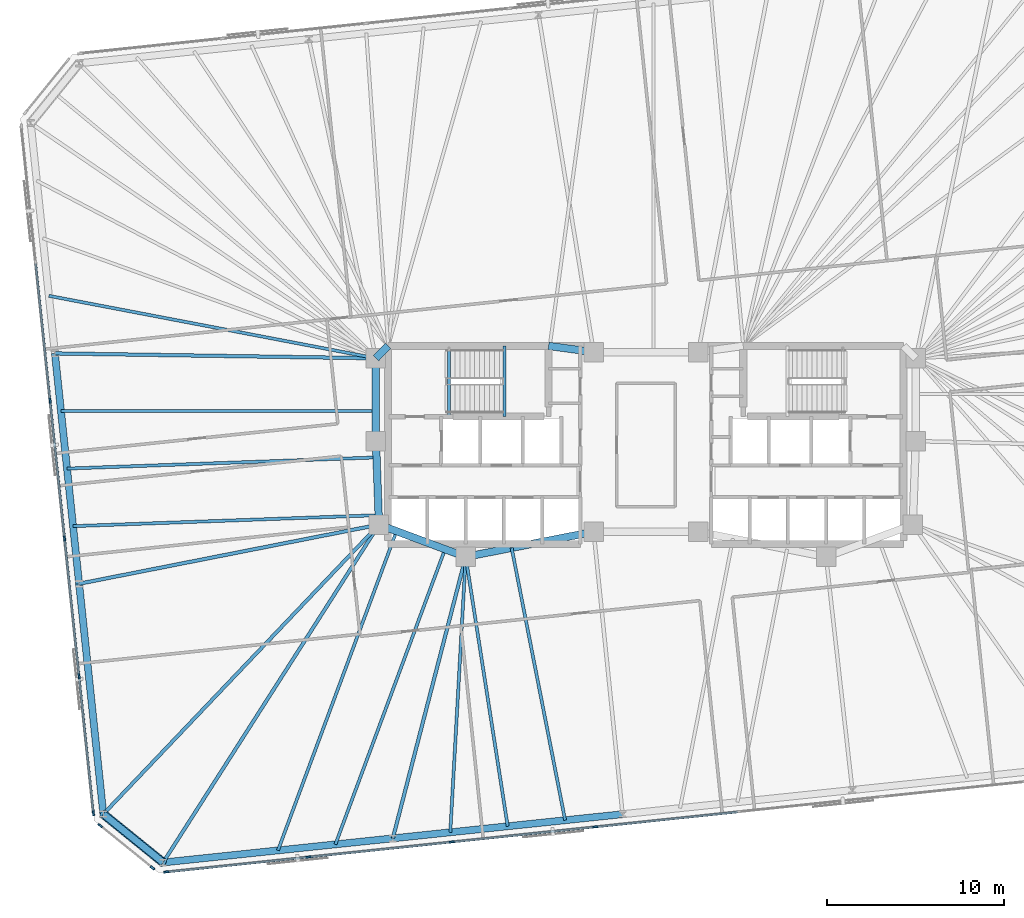
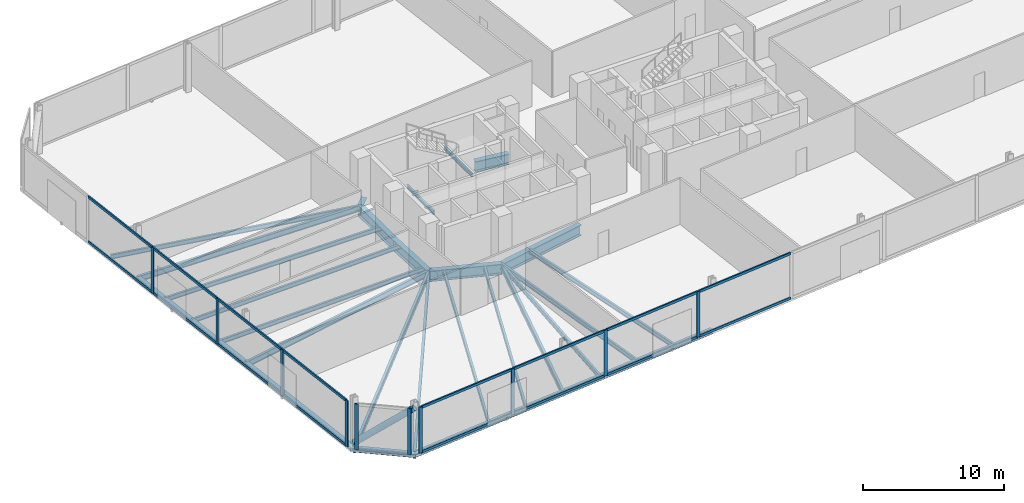
# One storey, part 6 of 16: 27 beams, 27 members, 3 elements without a shape of their own.
"""IFC4 building model written with IfcOpenShell, lengths in metres."""

from ifc_helpers import new_model, si_unit, direction, frame, origin, origin_2d, place, context, subcontext, project, spatial, rectangle, hollow_circle, i_section, extrude, material, material_profile, profile_set, type_object, element, aggregate, save


model = new_model("IFC4")

# Units and contexts
model_context = context("Model", 3, precision=1e-05, world=origin(), true_north=direction((0.0, 1.0)))
body_context = subcontext(model_context, "Body", "Model", "MODEL_VIEW")
ifc_project = project(units=[si_unit("LENGTHUNIT", "METRE"), si_unit("AREAUNIT", "SQUARE_METRE"), si_unit("VOLUMEUNIT", "CUBIC_METRE"), si_unit("PLANEANGLEUNIT", "RADIAN"), si_unit("MASSUNIT", "GRAM", prefix="KILO")], contexts=[model_context])

# Site, building, storey
site_placement = place(None, origin())
site = spatial("IfcSite", under=ifc_project, at=site_placement, CompositionType="ELEMENT")
building_placement = place(site_placement, origin())
building = spatial("IfcBuilding", under=site, at=building_placement, Name="Menara Jurai Vektor", CompositionType="ELEMENT")
storey_placement = place(building_placement, frame((0.0, 0.0, 83.199951171875)))
storey = spatial("IfcBuildingStorey", under=building, at=storey_placement, Name="L20", CompositionType="ELEMENT", Elevation=83.199951171875)

# Curtain wall, members
ifc_material_1 = material(Name="Anodised Pale Aluminium & Low-E Double Glazing", Category="aluminium")
curtain_wall_type = type_object("IfcCurtainWallType", Name="CW-SKY", PredefinedType="NOTDEFINED", material=ifc_material_1)
curtain_wall_1_placement = place(storey_placement, origin())
curtain_wall_1 = element("IfcCurtainWall", 1, at=curtain_wall_1_placement, inside=storey, type_object=curtain_wall_type, Name="Unitised Curtain Wall L20 F01", PredefinedType="NOTDEFINED")
ifc_material_2 = material(Name="Anodised Pale Aluminium Mullion", Category="aluminium")
ifc_material_profile_1 = material_profile(ifc_material_2, rectangle(XDim=0.110107421875, YDim=0.280029296875, at=origin_2d()), Name="ALU MUL 110x280")
ifc_profile_set_1 = profile_set([ifc_material_profile_1], Name="Anodised Pale Aluminium Mullion")
member_type_1 = type_object("IfcMemberType", Name="CW-SKY-MUL", PredefinedType="MULLION", material=ifc_profile_set_1)
member_1_placement = place(storey_placement, frame((-27.106689453125, -24.121337890625, 0.0), z_axis=(0.0, 0.0, 1.0), x_axis=(-0.104528634935, 0.994521877325, 0.0)))
member_1 = element("IfcMember", 2, at=member_1_placement, type_object=member_type_1, Name="CW-06 mullion 1", PredefinedType="MULLION", context=body_context, shape_type="SweptSolid", body=[
    extrude(rectangle(XDim=0.110107421875, YDim=0.280029296875, at=origin_2d()), origin(), (0.0, 0.0, 1.0), 3.97509765625),
])
member_2_placement = place(storey_placement, frame((-19.0634765625, -23.27587890625, 0.0), z_axis=(0.0, 0.0, 1.0), x_axis=(-0.104528634935, 0.994521877325, 0.0)))
member_2 = element("IfcMember", 3, at=member_2_placement, type_object=member_type_1, Name="CW-06 mullion 2", PredefinedType="MULLION", context=body_context, shape_type="SweptSolid", body=[
    extrude(rectangle(XDim=0.110107421875, YDim=0.280029296875, at=origin_2d()), origin(), (0.0, 0.0, 1.0), 3.97509765625),
])
member_3_placement = place(storey_placement, frame((-10.965576171875, -22.4248046875, 0.0), z_axis=(0.0, 0.0, 1.0), x_axis=(-0.104528634935, 0.994521877325, 0.0)))
member_3 = element("IfcMember", 4, at=member_3_placement, type_object=member_type_1, Name="CW-06 mullion 3", PredefinedType="MULLION", context=body_context, shape_type="SweptSolid", body=[
    extrude(rectangle(XDim=0.110107421875, YDim=0.280029296875, at=origin_2d()), origin(), (0.0, 0.0, 1.0), 3.97509765625),
])
member_4_placement = place(storey_placement, frame((-2.86767578125, -21.57373046875, 0.0), z_axis=(0.0, 0.0, 1.0), x_axis=(-0.104528634935, 0.994521877325, 0.0)))
member_4 = element("IfcMember", 5, at=member_4_placement, type_object=member_type_1, Name="CW-06 mullion 4", PredefinedType="MULLION", context=body_context, shape_type="SweptSolid", body=[
    extrude(rectangle(XDim=0.110107421875, YDim=0.280029296875, at=origin_2d()), origin(), (0.0, 0.0, 1.0), 3.97509765625),
])

curtain_wall_2_placement = place(storey_placement, origin())
curtain_wall_2 = element("IfcCurtainWall", 6, at=curtain_wall_2_placement, inside=storey, type_object=curtain_wall_type, Name="Unitised Curtain Wall L20 F07", PredefinedType="NOTDEFINED")
member_5_placement = place(storey_placement, frame((-33.66064453125, 2.50341796875, 0.0), z_axis=(0.0, 0.0, 1.0), x_axis=(0.99452177832, 0.104529576902, 0.0)))
member_5 = element("IfcMember", 7, at=member_5_placement, type_object=member_type_1, Name="CW-06 mullion 3", PredefinedType="MULLION", context=body_context, shape_type="SweptSolid", body=[
    extrude(rectangle(XDim=0.110107421875, YDim=0.280029296875, at=origin_2d()), origin(), (0.0, 0.0, 1.0), 3.97509765625),
])
member_6_placement = place(storey_placement, frame((-32.84228515625, -5.28173828125, 0.0), z_axis=(0.0, 0.0, 1.0), x_axis=(0.99452177832, 0.104529576902, 0.0)))
member_6 = element("IfcMember", 8, at=member_6_placement, type_object=member_type_1, Name="CW-06 mullion 4", PredefinedType="MULLION", context=body_context, shape_type="SweptSolid", body=[
    extrude(rectangle(XDim=0.110107421875, YDim=0.280029296875, at=origin_2d()), origin(), (0.0, 0.0, 1.0), 3.97509765625),
])
member_7_placement = place(storey_placement, frame((-32.024169921875, -13.06689453125, 0.0), z_axis=(0.0, 0.0, 1.0), x_axis=(0.99452177832, 0.104529576902, 0.0)))
member_7 = element("IfcMember", 9, at=member_7_placement, type_object=member_type_1, Name="CW-06 mullion 5", PredefinedType="MULLION", context=body_context, shape_type="SweptSolid", body=[
    extrude(rectangle(XDim=0.110107421875, YDim=0.280029296875, at=origin_2d()), origin(), (0.0, 0.0, 1.0), 3.97509765625),
])
member_8_placement = place(storey_placement, frame((-31.211669921875, -20.79736328125, 0.0), z_axis=(0.0, 0.0, 1.0), x_axis=(0.99452177832, 0.104529576902, 0.0)))
member_8 = element("IfcMember", 10, at=member_8_placement, type_object=member_type_1, Name="CW-06 mullion 6", PredefinedType="MULLION", context=body_context, shape_type="SweptSolid", body=[
    extrude(rectangle(XDim=0.110107421875, YDim=0.280029296875, at=origin_2d()), origin(), (0.0, 0.0, 1.0), 3.97509765625),
])

curtain_wall_3_placement = place(storey_placement, origin())
curtain_wall_3 = element("IfcCurtainWall", 11, at=curtain_wall_3_placement, inside=storey, type_object=curtain_wall_type, Name="Unitised Curtain Wall L20 F08", PredefinedType="NOTDEFINED")
member_9_placement = place(storey_placement, frame((-30.828125, -21.503662109375, 0.0), z_axis=(0.0, 0.0, 1.0), x_axis=(0.629313085353, 0.777151877437, 0.0)))
member_9 = element("IfcMember", 12, at=member_9_placement, type_object=member_type_1, Name="CW-06 mullion 1", PredefinedType="MULLION", context=body_context, shape_type="SweptSolid", body=[
    extrude(rectangle(XDim=0.110107421875, YDim=0.280029296875, at=origin_2d()), origin(), (0.0, 0.0, 1.0), 3.97509765625),
])
member_10_placement = place(storey_placement, frame((-27.877197265625, -23.89306640625, 0.0), z_axis=(0.0, 0.0, 1.0), x_axis=(0.629313085353, 0.777151877437, 0.0)))
member_10 = element("IfcMember", 13, at=member_10_placement, type_object=member_type_1, Name="CW-06 mullion 2", PredefinedType="MULLION", context=body_context, shape_type="SweptSolid", body=[
    extrude(rectangle(XDim=0.110107421875, YDim=0.280029296875, at=origin_2d()), origin(), (0.0, 0.0, 1.0), 3.97509765625),
])
aggregate(curtain_wall_3, [member_9, member_10])

# Member
ifc_material_3 = material(Name="Anodised Pale Aluminium Transom", Category="aluminium")
ifc_material_profile_2 = material_profile(ifc_material_3, rectangle(XDim=0.110107421875, YDim=0.219970703125, at=origin_2d()), Name="ALU TRN 110x220")
ifc_profile_set_2 = profile_set([ifc_material_profile_2], Name="Anodised Pale Aluminium Transom")
member_type_2 = type_object("IfcMemberType", Name="CW-SKY-TRN", PredefinedType="USERDEFINED", material=ifc_profile_set_2)
member_11_placement = place(storey_placement, frame((-27.052001953125, -24.11572265625, 0.054931640625), z_axis=(0.994520534702, 0.104541408331, 0.0), x_axis=(-0.104541408331, 0.994520534702, 0.0)))
member_11 = element("IfcMember", 14, at=member_11_placement, type_object=member_type_2, Name="CW-06 transom 1.1", ObjectType="TRANSOM", PredefinedType="USERDEFINED", context=body_context, shape_type="SweptSolid", body=[
    extrude(rectangle(XDim=0.110107421875, YDim=0.219970703125, at=origin_2d()), origin(), (0.0, 0.0, 1.0), 7.9775390625),
])

member_12_placement = place(storey_placement, frame((-27.052001953125, -24.11572265625, 3.920166015625), z_axis=(0.994520534702, 0.104541408331, 0.0), x_axis=(-0.104541408331, 0.994520534702, 0.0)))
member_12 = element("IfcMember", 15, at=member_12_placement, type_object=member_type_2, Name="CW-06 transom 1.2", ObjectType="TRANSOM", PredefinedType="USERDEFINED", context=body_context, shape_type="SweptSolid", body=[
    extrude(rectangle(XDim=0.110107421875, YDim=0.219970703125, at=origin_2d()), origin(), (0.0, 0.0, 1.0), 7.9775390625),
])

member_13_placement = place(storey_placement, frame((-19.0087890625, -23.270263671875, 0.054931640625), z_axis=(0.994522260875, 0.104524985641, 0.0), x_axis=(-0.104524985641, 0.994522260875, 0.0)))
member_13 = element("IfcMember", 16, at=member_13_placement, type_object=member_type_2, Name="CW-06 transom 2.1", ObjectType="TRANSOM", PredefinedType="USERDEFINED", context=body_context, shape_type="SweptSolid", body=[
    extrude(rectangle(XDim=0.110107421875, YDim=0.219970703125, at=origin_2d()), origin(), (0.0, 0.0, 1.0), 8.032470703125),
])

member_14_placement = place(storey_placement, frame((-19.0087890625, -23.270263671875, 3.920166015625), z_axis=(0.994522260875, 0.104524985641, 0.0), x_axis=(-0.104524985641, 0.994522260875, 0.0)))
member_14 = element("IfcMember", 17, at=member_14_placement, type_object=member_type_2, Name="CW-06 transom 2.2", ObjectType="TRANSOM", PredefinedType="USERDEFINED", context=body_context, shape_type="SweptSolid", body=[
    extrude(rectangle(XDim=0.110107421875, YDim=0.219970703125, at=origin_2d()), origin(), (0.0, 0.0, 1.0), 8.032470703125),
])

member_15_placement = place(storey_placement, frame((-10.910888671875, -22.419189453125, 0.054931640625), z_axis=(0.994522260875, 0.104524985641, 0.0), x_axis=(-0.104524985641, 0.994522260875, 0.0)))
member_15 = element("IfcMember", 18, at=member_15_placement, type_object=member_type_2, Name="CW-06 transom 3.1", ObjectType="TRANSOM", PredefinedType="USERDEFINED", context=body_context, shape_type="SweptSolid", body=[
    extrude(rectangle(XDim=0.110107421875, YDim=0.219970703125, at=origin_2d()), origin(), (0.0, 0.0, 1.0), 8.032470703125),
])

member_16_placement = place(storey_placement, frame((-10.910888671875, -22.419189453125, 3.920166015625), z_axis=(0.994522260875, 0.104524985641, 0.0), x_axis=(-0.104524985641, 0.994522260875, 0.0)))
member_16 = element("IfcMember", 19, at=member_16_placement, type_object=member_type_2, Name="CW-06 transom 3.2", ObjectType="TRANSOM", PredefinedType="USERDEFINED", context=body_context, shape_type="SweptSolid", body=[
    extrude(rectangle(XDim=0.110107421875, YDim=0.219970703125, at=origin_2d()), origin(), (0.0, 0.0, 1.0), 8.032470703125),
])

member_17_placement = place(storey_placement, frame((-2.81298828125, -21.56787109375, 0.054931640625), z_axis=(0.994522260875, 0.104524985641, 0.0), x_axis=(-0.104524985641, 0.994522260875, 0.0)))
member_17 = element("IfcMember", 20, at=member_17_placement, type_object=member_type_2, Name="CW-06 transom 4.1", ObjectType="TRANSOM", PredefinedType="USERDEFINED", context=body_context, shape_type="SweptSolid", body=[
    extrude(rectangle(XDim=0.110107421875, YDim=0.219970703125, at=origin_2d()), origin(), (0.0, 0.0, 1.0), 8.032470703125),
])

member_18_placement = place(storey_placement, frame((-2.81298828125, -21.56787109375, 3.920166015625), z_axis=(0.994522260875, 0.104524985641, 0.0), x_axis=(-0.104524985641, 0.994522260875, 0.0)))
member_18 = element("IfcMember", 21, at=member_18_placement, type_object=member_type_2, Name="CW-06 transom 4.2", ObjectType="TRANSOM", PredefinedType="USERDEFINED", context=body_context, shape_type="SweptSolid", body=[
    extrude(rectangle(XDim=0.110107421875, YDim=0.219970703125, at=origin_2d()), origin(), (0.0, 0.0, 1.0), 8.032470703125),
])

aggregate(curtain_wall_1, [member_1, member_2, member_3, member_4, member_11, member_12, member_13, member_14, member_15, member_16, member_17, member_18])

member_19_placement = place(storey_placement, frame((-34.47314453125, 10.23388671875, 0.054931640625), z_axis=(0.104544821293, -0.994520175934, 0.0), x_axis=(0.994520175934, 0.104544821293, 0.0)))
member_19 = element("IfcMember", 22, at=member_19_placement, type_object=member_type_2, Name="CW-06 transom 2.1", ObjectType="TRANSOM", PredefinedType="USERDEFINED", context=body_context, shape_type="SweptSolid", body=[
    extrude(rectangle(XDim=0.110107421875, YDim=0.219970703125, at=origin_2d()), origin(), (0.0, 0.0, 1.0), 7.718017578125),
])

member_20_placement = place(storey_placement, frame((-34.47314453125, 10.23388671875, 3.920166015625), z_axis=(0.104544821293, -0.994520175934, 0.0), x_axis=(0.994520175934, 0.104544821293, 0.0)))
member_20 = element("IfcMember", 23, at=member_20_placement, type_object=member_type_2, Name="CW-06 transom 2.2", ObjectType="TRANSOM", PredefinedType="USERDEFINED", context=body_context, shape_type="SweptSolid", body=[
    extrude(rectangle(XDim=0.110107421875, YDim=0.219970703125, at=origin_2d()), origin(), (0.0, 0.0, 1.0), 7.718017578125),
])

member_21_placement = place(storey_placement, frame((-33.65478515625, 2.44873046875, 0.054931640625), z_axis=(0.104513534546, -0.994523464327, 0.0), x_axis=(0.994523464327, 0.104513534546, 0.0)))
member_21 = element("IfcMember", 24, at=member_21_placement, type_object=member_type_2, Name="CW-06 transom 3.1", ObjectType="TRANSOM", PredefinedType="USERDEFINED", context=body_context, shape_type="SweptSolid", body=[
    extrude(rectangle(XDim=0.110107421875, YDim=0.219970703125, at=origin_2d()), origin(), (0.0, 0.0, 1.0), 7.718017578125),
])

member_22_placement = place(storey_placement, frame((-33.65478515625, 2.44873046875, 3.920166015625), z_axis=(0.104513534546, -0.994523464327, 0.0), x_axis=(0.994523464327, 0.104513534546, 0.0)))
member_22 = element("IfcMember", 25, at=member_22_placement, type_object=member_type_2, Name="CW-06 transom 3.2", ObjectType="TRANSOM", PredefinedType="USERDEFINED", context=body_context, shape_type="SweptSolid", body=[
    extrude(rectangle(XDim=0.110107421875, YDim=0.219970703125, at=origin_2d()), origin(), (0.0, 0.0, 1.0), 7.718017578125),
])

member_23_placement = place(storey_placement, frame((-32.836669921875, -5.33642578125, 0.054931640625), z_axis=(0.104544821293, -0.994520175934, 0.0), x_axis=(0.994520175934, 0.104544821293, 0.0)))
member_23 = element("IfcMember", 26, at=member_23_placement, type_object=member_type_2, Name="CW-06 transom 4.1", ObjectType="TRANSOM", PredefinedType="USERDEFINED", context=body_context, shape_type="SweptSolid", body=[
    extrude(rectangle(XDim=0.110107421875, YDim=0.219970703125, at=origin_2d()), origin(), (0.0, 0.0, 1.0), 7.718017578125),
])

member_24_placement = place(storey_placement, frame((-32.836669921875, -5.33642578125, 3.920166015625), z_axis=(0.104544821293, -0.994520175934, 0.0), x_axis=(0.994520175934, 0.104544821293, 0.0)))
member_24 = element("IfcMember", 27, at=member_24_placement, type_object=member_type_2, Name="CW-06 transom 4.2", ObjectType="TRANSOM", PredefinedType="USERDEFINED", context=body_context, shape_type="SweptSolid", body=[
    extrude(rectangle(XDim=0.110107421875, YDim=0.219970703125, at=origin_2d()), origin(), (0.0, 0.0, 1.0), 7.718017578125),
])

member_25_placement = place(storey_placement, frame((-32.018310546875, -13.12158203125, 0.054931640625), z_axis=(0.104530549059, -0.994521676141, 0.0), x_axis=(0.994521676141, 0.104530549059, 0.0)))
member_25 = element("IfcMember", 28, at=member_25_placement, type_object=member_type_2, Name="CW-06 transom 5.1", ObjectType="TRANSOM", PredefinedType="USERDEFINED", context=body_context, shape_type="SweptSolid", body=[
    extrude(rectangle(XDim=0.110107421875, YDim=0.219970703125, at=origin_2d()), origin(), (0.0, 0.0, 1.0), 7.6630859375),
])

member_26_placement = place(storey_placement, frame((-32.018310546875, -13.12158203125, 3.920166015625), z_axis=(0.104530549059, -0.994521676141, 0.0), x_axis=(0.994521676141, 0.104530549059, 0.0)))
member_26 = element("IfcMember", 29, at=member_26_placement, type_object=member_type_2, Name="CW-06 transom 5.2", ObjectType="TRANSOM", PredefinedType="USERDEFINED", context=body_context, shape_type="SweptSolid", body=[
    extrude(rectangle(XDim=0.110107421875, YDim=0.219970703125, at=origin_2d()), origin(), (0.0, 0.0, 1.0), 7.6630859375),
])

aggregate(curtain_wall_2, [member_5, member_6, member_7, member_8, member_19, member_20, member_21, member_22, member_23, member_24, member_25, member_26])

# Beams
ifc_material_4 = material(Name="Steel S355", Category="steel")
ifc_material_profile_3 = material_profile(ifc_material_4, i_section(OverallWidth=0.199951171875, OverallDepth=0.5, WebThickness=0.011962890625, FlangeThickness=0.02001953125, at=origin_2d()), Name="PG 500x200x96")
ifc_profile_set_3 = profile_set([ifc_material_profile_3], Name="Steel S355")
beam_type_1 = type_object("IfcBeamType", Name="STR-BM-500", PredefinedType="BEAM", material=ifc_profile_set_3)
beam_1_placement = place(storey_placement, frame((-27.2763671875, -23.586181640625, -0.5), z_axis=(0.538462629542, 0.842649391258, 0.0), x_axis=(-0.842649391258, 0.538462629542, 0.0)))
element("IfcBeam", 30, at=beam_1_placement, inside=storey, type_object=beam_type_1, Name="Radial Floor Girder L20-S1", PredefinedType="BEAM", context=body_context, shape_type="SweptSolid", body=[
    extrude(i_section(OverallWidth=0.199951171875, OverallDepth=0.5, WebThickness=0.011962890625, FlangeThickness=0.02001953125, at=origin_2d()), origin(), (0.0, 0.0, 1.0), 22.650146484375),
])
beam_2_placement = place(storey_placement, frame((-14.296630859375, -22.221923828125, -0.5), z_axis=(0.250619644892, 0.968085633399, 0.0), x_axis=(-0.968085633399, 0.250619644892, 0.0)))
element("IfcBeam", 31, at=beam_2_placement, inside=storey, type_object=beam_type_1, Name="Radial Floor Girder L20-S2", PredefinedType="BEAM", context=body_context, shape_type="SweptSolid", body=[
    extrude(i_section(OverallWidth=0.199951171875, OverallDepth=0.5, WebThickness=0.011962890625, FlangeThickness=0.02001953125, at=origin_2d()), origin(), (0.0, 0.0, 1.0), 16.426025390625),
])
beam_3_placement = place(storey_placement, frame((-33.38818359375, 5.175048828125, -0.5), z_axis=(0.999884963566, -0.015167716827, 0.0), x_axis=(0.015167716827, 0.999884963566, 0.0)))
element("IfcBeam", 32, at=beam_3_placement, inside=storey, type_object=beam_type_1, Name="Radial Floor Girder L20-W2", PredefinedType="BEAM", context=body_context, shape_type="SweptSolid", body=[
    extrude(i_section(OverallWidth=0.199951171875, OverallDepth=0.5, WebThickness=0.011962890625, FlangeThickness=0.02001953125, at=origin_2d()), origin(), (0.0, 0.0, 1.0), 18.140380859375),
])
beam_4_placement = place(storey_placement, frame((-32.0205078125, -7.83837890625, -0.5), z_axis=(0.98113039493, 0.193347221714, 0.0), x_axis=(-0.193347221714, 0.98113039493, 0.0)))
element("IfcBeam", 33, at=beam_4_placement, inside=storey, type_object=beam_type_1, Name="Radial Floor Girder L20-W3", PredefinedType="BEAM", context=body_context, shape_type="SweptSolid", body=[
    extrude(i_section(OverallWidth=0.199951171875, OverallDepth=0.5, WebThickness=0.011962890625, FlangeThickness=0.02001953125, at=origin_2d()), origin(), (0.0, 0.0, 1.0), 17.266357421875),
])
beam_5_placement = place(storey_placement, frame((-30.65283203125, -20.85205078125, -0.5), z_axis=(0.689640593718, 0.724151815227, 0.0), x_axis=(-0.724151815227, 0.689640593718, 0.0)))
element("IfcBeam", 34, at=beam_5_placement, inside=storey, type_object=beam_type_1, Name="Radial Floor Girder L20-W4", PredefinedType="BEAM", context=body_context, shape_type="SweptSolid", body=[
    extrude(i_section(OverallWidth=0.199951171875, OverallDepth=0.5, WebThickness=0.011962890625, FlangeThickness=0.02001953125, at=origin_2d()), origin(), (0.0, 0.0, 1.0), 22.5810546875),
])
ifc_material_5 = material(Name="Steel S460", Category="steel")
ifc_material_profile_4 = material_profile(ifc_material_5, i_section(OverallWidth=0.39697265625, OverallDepth=0.31591796875, WebThickness=0.030029296875, FlangeThickness=0.048095703125, FilletRadius=0.014892578125, at=origin_2d()), Name="HD 400x382")
ifc_profile_set_4 = profile_set([ifc_material_profile_4], Name="Steel S460")
beam_type_2 = type_object("IfcBeamType", Name="STR-BM-CHORD382", PredefinedType="SPANDREL", material=ifc_profile_set_4)
for number, where, z_axis, x_axis, name in (
    (35, (-27.2763671875, -23.586181640625, -0.407958984375), (0.994521636083, 0.104530930169, 0.0), (-0.104530930169, 0.994521636083, 0.0), "Exoskeleton Spandrel Beam L20-01"),
    (36, (-14.296630859375, -22.221923828125, -0.407958984375), (0.994523580592, 0.104512428191, 0.0), (-0.104512428191, 0.994523580592, 0.0), "Exoskeleton Spandrel Beam L20-02"),
):
    element("IfcBeam", number, at=place(storey_placement, frame(where, z_axis=z_axis, x_axis=x_axis)), inside=storey, type_object=beam_type_2, Name=name, PredefinedType="SPANDREL", context=body_context, shape_type="SweptSolid", body=[
        extrude(i_section(OverallWidth=0.39697265625, OverallDepth=0.31591796875, WebThickness=0.030029296875, FlangeThickness=0.048095703125, FilletRadius=0.014892578125, at=origin_2d()), origin(), (0.0, 0.0, 1.0), 13.05126953125),
    ])
beam_6_placement = place(storey_placement, frame((-33.38818359375, 5.175048828125, -0.407958984375), z_axis=(0.104521615846, -0.994522615037, 0.0), x_axis=(0.994522615037, 0.104521615846, 0.0)))
element("IfcBeam", 37, at=beam_6_placement, inside=storey, type_object=beam_type_2, Name="Exoskeleton Spandrel Beam L20-18", PredefinedType="SPANDREL", context=body_context, shape_type="SweptSolid", body=[
    extrude(i_section(OverallWidth=0.39697265625, OverallDepth=0.31591796875, WebThickness=0.030029296875, FlangeThickness=0.048095703125, FilletRadius=0.014892578125, at=origin_2d()), origin(), (0.0, 0.0, 1.0), 13.085205078125),
])
beam_7_placement = place(storey_placement, frame((-32.0205078125, -7.83837890625, -0.407958984375), z_axis=(0.104519676409, -0.994522818865, 0.0), x_axis=(0.994522818865, 0.104519676409, 0.0)))
element("IfcBeam", 38, at=beam_7_placement, inside=storey, type_object=beam_type_2, Name="Exoskeleton Spandrel Beam L20-19", PredefinedType="SPANDREL", context=body_context, shape_type="SweptSolid", body=[
    extrude(i_section(OverallWidth=0.39697265625, OverallDepth=0.31591796875, WebThickness=0.030029296875, FlangeThickness=0.048095703125, FilletRadius=0.014892578125, at=origin_2d()), origin(), (0.0, 0.0, 1.0), 13.08544921875),
])
beam_8_placement = place(storey_placement, frame((-30.65283203125, -20.85205078125, -0.407958984375), z_axis=(0.777154568396, -0.629309762217, 0.0), x_axis=(0.629309762217, 0.777154568396, 0.0)))
element("IfcBeam", 39, at=beam_8_placement, inside=storey, type_object=beam_type_2, Name="Exoskeleton Spandrel Beam L20-20", PredefinedType="SPANDREL", context=body_context, shape_type="SweptSolid", body=[
    extrude(i_section(OverallWidth=0.39697265625, OverallDepth=0.31591796875, WebThickness=0.030029296875, FlangeThickness=0.048095703125, FilletRadius=0.014892578125, at=origin_2d()), origin(), (0.0, 0.0, 1.0), 4.3447265625),
])
ifc_material_profile_5 = material_profile(ifc_material_5, i_section(OverallWidth=0.4208984375, OverallDepth=0.9208984375, WebThickness=0.02099609375, FlangeThickness=0.037109375, FilletRadius=0.02392578125, at=origin_2d()), Name="UKB 914x419x388")
ifc_profile_set_5 = profile_set([ifc_material_profile_5], Name="Steel S460")
beam_type_3 = type_object("IfcBeamType", Name="STR-BM-TR914", PredefinedType="BEAM", material=ifc_profile_set_5)
beam_9_placement = place(storey_placement, frame((-15.25, 4.89990234375, -0.71044921875), z_axis=(0.701871936926, 0.712303154672, 0.0), x_axis=(-0.712303154672, 0.701871936926, 0.0)))
element("IfcBeam", 40, at=beam_9_placement, inside=storey, type_object=beam_type_3, Name="Core Ring Header Girder L20-CHW-N1", PredefinedType="BEAM", context=body_context, shape_type="SweptSolid", body=[
    extrude(i_section(OverallWidth=0.4208984375, OverallDepth=0.9208984375, WebThickness=0.02099609375, FlangeThickness=0.037109375, FilletRadius=0.02392578125, at=origin_2d()), origin(), (0.0, 0.0, 1.0), 0.98291015625),
])
beam_10_placement = place(storey_placement, frame((-5.5, 5.60009765625, -0.71044921875), z_axis=(0.990706818608, -0.136014703483, 0.0), x_axis=(0.136014703483, 0.990706818608, 0.0)))
element("IfcBeam", 41, at=beam_10_placement, inside=storey, type_object=beam_type_3, Name="Core Ring Header Girder L20-CHW-N2", PredefinedType="BEAM", context=body_context, shape_type="SweptSolid", body=[
    extrude(i_section(OverallWidth=0.4208984375, OverallDepth=0.9208984375, WebThickness=0.02099609375, FlangeThickness=0.037109375, FilletRadius=0.02392578125, at=origin_2d()), origin(), (0.0, 0.0, 1.0), 2.573974609375),
])
beam_11_placement = place(storey_placement, frame((-15.25, 0.219970703125, -0.71044921875), z_axis=(0.0, 1.0, 0.0), x_axis=(-1.0, 0.0, 0.0)))
element("IfcBeam", 42, at=beam_11_placement, inside=storey, type_object=beam_type_3, Name="Core Ring Header Girder L20-CHW-W1", PredefinedType="BEAM", context=body_context, shape_type="SweptSolid", body=[
    extrude(i_section(OverallWidth=0.4208984375, OverallDepth=0.9208984375, WebThickness=0.02099609375, FlangeThickness=0.037109375, FilletRadius=0.02392578125, at=origin_2d()), origin(), (0.0, 0.0, 1.0), 4.679931640625),
])
beam_12_placement = place(storey_placement, frame((-15.080078125, -4.5, -0.71044921875), z_axis=(-0.035977314146, 0.999352606874, 0.0), x_axis=(-0.999352606874, -0.035977314146, 0.0)))
element("IfcBeam", 43, at=beam_12_placement, inside=storey, type_object=beam_type_3, Name="Core Ring Header Girder L20-CHW-W2", PredefinedType="BEAM", context=body_context, shape_type="SweptSolid", body=[
    extrude(i_section(OverallWidth=0.4208984375, OverallDepth=0.9208984375, WebThickness=0.02099609375, FlangeThickness=0.037109375, FilletRadius=0.02392578125, at=origin_2d()), origin(), (0.0, 0.0, 1.0), 4.72314453125),
])
beam_13_placement = place(storey_placement, frame((-15.080078125, -4.5, -0.71044921875), z_axis=(0.937424400887, -0.348188874925, 0.0), x_axis=(0.348188874925, 0.937424400887, 0.0)))
element("IfcBeam", 44, at=beam_13_placement, inside=storey, type_object=beam_type_3, Name="Core Ring Header Girder L20-CHW-S1", PredefinedType="BEAM", context=body_context, shape_type="SweptSolid", body=[
    extrude(i_section(OverallWidth=0.4208984375, OverallDepth=0.9208984375, WebThickness=0.02099609375, FlangeThickness=0.037109375, FilletRadius=0.02392578125, at=origin_2d()), origin(), (0.0, 0.0, 1.0), 5.227294921875),
])
beam_14_placement = place(storey_placement, frame((-10.179931640625, -6.320068359375, -0.71044921875), z_axis=(0.981249044334, 0.192744164614, 0.0), x_axis=(-0.192744164614, 0.981249044334, 0.0)))
element("IfcBeam", 45, at=beam_14_placement, inside=storey, type_object=beam_type_3, Name="Core Ring Header Girder L20-CHW-S2", PredefinedType="BEAM", context=body_context, shape_type="SweptSolid", body=[
    extrude(i_section(OverallWidth=0.4208984375, OverallDepth=0.9208984375, WebThickness=0.02099609375, FlangeThickness=0.037109375, FilletRadius=0.02392578125, at=origin_2d()), origin(), (0.0, 0.0, 1.0), 7.3681640625),
])

# Member
ifc_material_profile_6 = material_profile(ifc_material_5, hollow_circle(Radius=0.25390625, WallThickness=0.02001953125, at=origin_2d()), Name="CHS 508x20")
ifc_profile_set_6 = profile_set([ifc_material_profile_6], Name="Steel S460")
member_type_3 = type_object("IfcMemberType", Name="STR-BR-508", PredefinedType="BRACE", material=ifc_profile_set_6)
member_27_placement = place(storey_placement, frame((-30.65283203125, -20.85205078125, 0.150146484375), z_axis=(0.60691482004, -0.491456187247, 0.624600045815), x_axis=(0.629309762217, 0.777154568396, 0.0)))
element("IfcMember", 46, at=member_27_placement, inside=storey, type_object=member_type_3, Name="Exoskeleton Corner Brace L20-4", PredefinedType="BRACE", context=body_context, shape_type="SweptSolid", body=[
    extrude(hollow_circle(Radius=0.25390625, WallThickness=0.02001953125, at=origin_2d()), origin(), (0.0, 0.0, 1.0), 5.563232421875),
])

# Beams
ifc_material_profile_7 = material_profile(ifc_material_4, i_section(OverallWidth=0.175048828125, OverallDepth=0.3798828125, WebThickness=0.010009765625, FlangeThickness=0.014892578125, at=origin_2d()), Name="PG 380x175x58")
ifc_profile_set_7 = profile_set([ifc_material_profile_7], Name="Steel S355")
beam_type_4 = type_object("IfcBeamType", Name="STR-JS-380", PredefinedType="JOIST", material=ifc_profile_set_7)
beam_15_placement = place(storey_placement, frame((-20.78662109375, -22.904052734375, -0.43994140625), z_axis=(0.34819162731, 0.93742337856, 0.0), x_axis=(-0.93742337856, 0.34819162731, 0.0)))
element("IfcBeam", 47, at=beam_15_placement, inside=storey, type_object=beam_type_4, Name="Radial Secondary Floor Joist L20-JS01", PredefinedType="JOIST", context=body_context, shape_type="SweptSolid", body=[
    extrude(i_section(OverallWidth=0.175048828125, OverallDepth=0.3798828125, WebThickness=0.010009765625, FlangeThickness=0.014892578125, at=origin_2d()), origin(), (0.0, 0.0, 1.0), 19.2392578125),
])
beam_16_placement = place(storey_placement, frame((-17.54150390625, -22.56298828125, -0.43994140625), z_axis=(0.348184462185, 0.937426039906, 0.0), x_axis=(-0.937426039906, 0.348184462185, 0.0)))
element("IfcBeam", 48, at=beam_16_placement, inside=storey, type_object=beam_type_4, Name="Radial Secondary Floor Joist L20-JS02", PredefinedType="JOIST", context=body_context, shape_type="SweptSolid", body=[
    extrude(i_section(OverallWidth=0.175048828125, OverallDepth=0.3798828125, WebThickness=0.010009765625, FlangeThickness=0.014892578125, at=origin_2d()), origin(), (0.0, 0.0, 1.0), 17.789794921875),
])
beam_17_placement = place(storey_placement, frame((-11.0517578125, -21.880859375, -0.43994140625), z_axis=(0.055939382302, 0.998434166837, 0.0), x_axis=(-0.998434166837, 0.055939382302, 0.0)))
element("IfcBeam", 49, at=beam_17_placement, inside=storey, type_object=beam_type_4, Name="Radial Secondary Floor Joist L20-JS03", PredefinedType="JOIST", context=body_context, shape_type="SweptSolid", body=[
    extrude(i_section(OverallWidth=0.175048828125, OverallDepth=0.3798828125, WebThickness=0.010009765625, FlangeThickness=0.014892578125, at=origin_2d()), origin(), (0.0, 0.0, 1.0), 15.585205078125),
])
beam_18_placement = place(storey_placement, frame((-7.806884765625, -21.539794921875, -0.43994140625), z_axis=(-0.154057765645, 0.988061842622, 0.0), x_axis=(-0.988061842622, -0.154057765645, 0.0)))
element("IfcBeam", 50, at=beam_18_placement, inside=storey, type_object=beam_type_4, Name="Radial Secondary Floor Joist L20-JS04", PredefinedType="JOIST", context=body_context, shape_type="SweptSolid", body=[
    extrude(i_section(OverallWidth=0.175048828125, OverallDepth=0.3798828125, WebThickness=0.010009765625, FlangeThickness=0.014892578125, at=origin_2d()), origin(), (0.0, 0.0, 1.0), 15.403564453125),
])
beam_19_placement = place(storey_placement, frame((-4.56201171875, -21.19873046875, -0.43994140625), z_axis=(-0.19271398667, 0.981254971627, 0.0), x_axis=(-0.981254971627, -0.19271398667, 0.0)))
element("IfcBeam", 51, at=beam_19_placement, inside=storey, type_object=beam_type_4, Name="Radial Secondary Floor Joist L20-JS05", PredefinedType="JOIST", context=body_context, shape_type="SweptSolid", body=[
    extrude(i_section(OverallWidth=0.175048828125, OverallDepth=0.3798828125, WebThickness=0.010009765625, FlangeThickness=0.014892578125, at=origin_2d()), origin(), (0.0, 0.0, 1.0), 15.682373046875),
])
beam_20_placement = place(storey_placement, frame((-33.730224609375, 8.428466796875, -0.43994140625), z_axis=(0.982255215221, -0.187549172674, 0.0), x_axis=(0.187549172674, 0.982255215221, 0.0)))
element("IfcBeam", 52, at=beam_20_placement, inside=storey, type_object=beam_type_4, Name="Radial Secondary Floor Joist L20-JS38", PredefinedType="JOIST", context=body_context, shape_type="SweptSolid", body=[
    extrude(i_section(OverallWidth=0.175048828125, OverallDepth=0.3798828125, WebThickness=0.010009765625, FlangeThickness=0.014892578125, at=origin_2d()), origin(), (0.0, 0.0, 1.0), 18.81396484375),
])
beam_21_placement = place(storey_placement, frame((-33.04638671875, 1.921630859375, -0.43994140625), z_axis=(1.0, 0.0, 0.0), x_axis=(0.0, 1.0, 0.0)))
element("IfcBeam", 53, at=beam_21_placement, inside=storey, type_object=beam_type_4, Name="Radial Secondary Floor Joist L20-JS39", PredefinedType="JOIST", context=body_context, shape_type="SweptSolid", body=[
    extrude(i_section(OverallWidth=0.175048828125, OverallDepth=0.3798828125, WebThickness=0.010009765625, FlangeThickness=0.014892578125, at=origin_2d()), origin(), (0.0, 0.0, 1.0), 17.79638671875),
])
beam_22_placement = place(storey_placement, frame((-32.704345703125, -1.331787109375, -0.43994140625), z_axis=(0.999351948809, 0.035995588769, 0.0), x_axis=(-0.035995588769, 0.999351948809, 0.0)))
element("IfcBeam", 54, at=beam_22_placement, inside=storey, type_object=beam_type_4, Name="Radial Secondary Floor Joist L20-JS40", PredefinedType="JOIST", context=body_context, shape_type="SweptSolid", body=[
    extrude(i_section(OverallWidth=0.175048828125, OverallDepth=0.3798828125, WebThickness=0.010009765625, FlangeThickness=0.014892578125, at=origin_2d()), origin(), (0.0, 0.0, 1.0), 17.498779296875),
])
beam_23_placement = place(storey_placement, frame((-32.362548828125, -4.5849609375, -0.43994140625), z_axis=(0.999352405578, 0.03598290517, 0.0), x_axis=(-0.03598290517, 0.999352405578, 0.0)))
element("IfcBeam", 55, at=beam_23_placement, inside=storey, type_object=beam_type_4, Name="Radial Secondary Floor Joist L20-JS41", PredefinedType="JOIST", context=body_context, shape_type="SweptSolid", body=[
    extrude(i_section(OverallWidth=0.175048828125, OverallDepth=0.3798828125, WebThickness=0.010009765625, FlangeThickness=0.014892578125, at=origin_2d()), origin(), (0.0, 0.0, 1.0), 17.2744140625),
])
ifc_material_profile_8 = material_profile(ifc_material_4, i_section(OverallWidth=0.1650390625, OverallDepth=0.302978515625, WebThickness=0.006103515625, FlangeThickness=0.010009765625, FilletRadius=0.009033203125, at=origin_2d()), Name="UKB 305x165x40")
ifc_profile_set_8 = profile_set([ifc_material_profile_8], Name="Steel S355")
beam_type_5 = type_object("IfcBeamType", Name="STR-LN-305", PredefinedType="LINTEL", material=ifc_profile_set_8)
beam_24_placement = place(storey_placement, frame((-11.1201171875, 1.60009765625, -0.4013671875), z_axis=(0.0, 1.0, 0.0), x_axis=(-1.0, 0.0, 0.0)))
element("IfcBeam", 56, at=beam_24_placement, inside=storey, type_object=beam_type_5, Name="Stair Well Floor Trimmer ST1 L20", PredefinedType="LINTEL", context=body_context, shape_type="SweptSolid", body=[
    extrude(i_section(OverallWidth=0.1650390625, OverallDepth=0.302978515625, WebThickness=0.006103515625, FlangeThickness=0.010009765625, FilletRadius=0.009033203125, at=origin_2d()), origin(), (0.0, 0.0, 1.0), 3.81982421875),
])
beam_25_placement = place(storey_placement, frame((-7.989990234375, 1.60009765625, 1.74853515625), z_axis=(0.0, 1.0, 0.0), x_axis=(-1.0, 0.0, 0.0)))
element("IfcBeam", 57, at=beam_25_placement, inside=storey, type_object=beam_type_5, Name="Stair Half-Landing Nosing Trimmer ST1-1 L20", PredefinedType="LINTEL", context=body_context, shape_type="SweptSolid", body=[
    extrude(i_section(OverallWidth=0.1650390625, OverallDepth=0.302978515625, WebThickness=0.006103515625, FlangeThickness=0.010009765625, FilletRadius=0.009033203125, at=origin_2d()), origin(), (0.0, 0.0, 1.0), 4.0),
])

save(model, "model.ifc")
